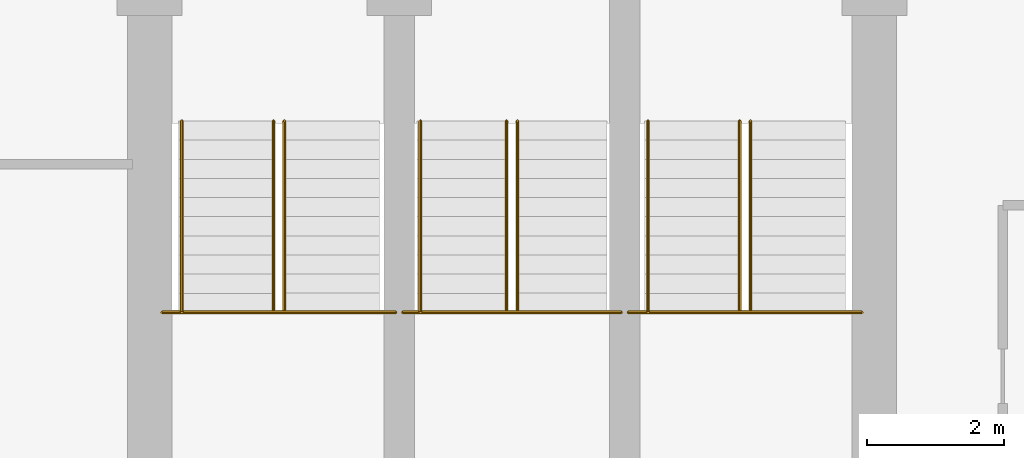
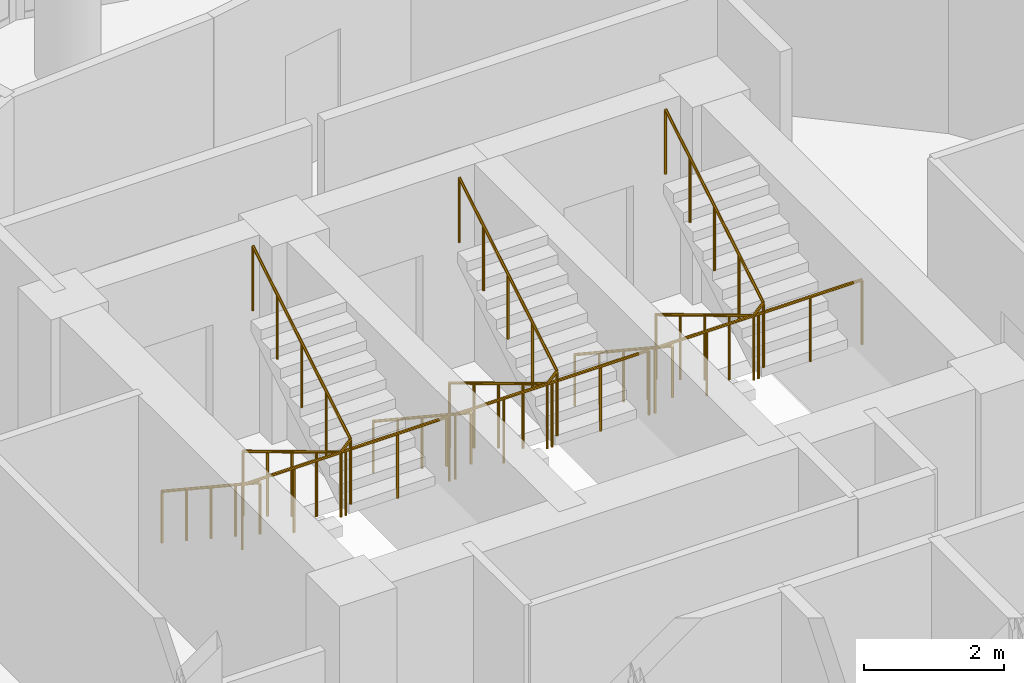
# One storey, part 26 of 26: 9 railings.
"""IFC4 building model written with IfcOpenShell, lengths in metres."""

from ifc_helpers import new_model, si_unit, direction, frame, origin, place, context, subcontext, project, spatial, polyline, outline, extrude, material, type_object, element, save


model = new_model("IFC4")

# Units and contexts
model_context = context("Model", 3, precision=1e-05, world=origin(), true_north=direction((0.0, 1.0)))
body_context = subcontext(model_context, "Body", "Model", "MODEL_VIEW")
ifc_project = project(units=[si_unit("LENGTHUNIT", "METRE"), si_unit("AREAUNIT", "SQUARE_METRE"), si_unit("VOLUMEUNIT", "CUBIC_METRE"), si_unit("PLANEANGLEUNIT", "RADIAN"), si_unit("MASSUNIT", "GRAM", prefix="KILO")], contexts=[model_context])

# Site, building, storey
site_placement = place(None, origin())
site = spatial("IfcSite", under=ifc_project, at=site_placement, CompositionType="ELEMENT")
building_placement = place(site_placement, origin())
building = spatial("IfcBuilding", under=site, at=building_placement, Name="Nuhasar Tower", CompositionType="ELEMENT")
storey_placement = place(building_placement, frame((0.0, 0.0, 121.949951171875)))
storey = spatial("IfcBuildingStorey", under=building, at=storey_placement, Name="L28", CompositionType="ELEMENT", Elevation=121.949951171875)

# Railings
ifc_material_1 = material(Name="Steel S355", Category="steel")
railing_type_1 = type_object("IfcRailingType", Name="RLG-STAIR-GUARD-1150", PredefinedType="GUARDRAIL", material=ifc_material_1)
railing_1_placement = place(storey_placement, frame((33.8798828125, 32.485107421875, 1.85009765625)))
element("IfcRailing", 1, at=railing_1_placement, inside=storey, type_object=railing_type_1, Name="L28 Stair ST-01 Guardrail LND", PredefinedType="GUARDRAIL", context=body_context, shape_type="SweptSolid", body=[
    extrude(outline(polyline([(0.024169921875, 0.0), (0.01708984375, 0.01708984375), (0.0, 0.024169921875), (-0.01708984375, 0.01708984375), (-0.024169921875, 0.0), (-0.01708984375, -0.01708984375), (0.0, -0.024169921875), (0.01708984375, -0.01708984375), (0.024169921875, 0.0)])), frame((0.0, 0.0, 1.1259765625), z_axis=(1.0, 0.0, 0.0), x_axis=(0.0, 1.0, 0.0)), (0.0, 0.0, 1.0), 3.420166015625),
    extrude(outline(polyline([(0.02099609375, 0.0), (0.014892578125, 0.014892578125), (0.0, 0.02099609375), (-0.014892578125, 0.014892578125), (-0.02099609375, 0.0), (-0.014892578125, -0.014892578125), (0.0, -0.02099609375), (0.014892578125, -0.014892578125), (0.02099609375, 0.0)])), origin(), (0.0, 0.0, 1.0), 1.101806640625),
    extrude(outline(polyline([(0.02099609375, 0.0), (0.014892578125, 0.014892578125), (0.0, 0.02099609375), (-0.014892578125, 0.014892578125), (-0.02099609375, 0.0), (-0.014892578125, -0.014892578125), (0.0, -0.02099609375), (0.014892578125, -0.014892578125), (0.02099609375, 0.0)])), frame((0.85498046875, 0.0, 0.0)), (0.0, 0.0, 1.0), 1.101806640625),
    extrude(outline(polyline([(0.02099609375, 0.0), (0.014892578125, 0.014892578125), (0.0, 0.02099609375), (-0.014892578125, 0.014892578125), (-0.02099609375, 0.0), (-0.014892578125, -0.014892578125), (0.0, -0.02099609375), (0.014892578125, -0.014892578125), (0.02099609375, 0.0)])), frame((1.7099609375, 0.0, 0.0)), (0.0, 0.0, 1.0), 1.101806640625),
    extrude(outline(polyline([(0.02099609375, 0.0), (0.014892578125, 0.014892578125), (0.0, 0.02099609375), (-0.014892578125, 0.014892578125), (-0.02099609375, 0.0), (-0.014892578125, -0.014892578125), (0.0, -0.02099609375), (0.014892578125, -0.014892578125), (0.02099609375, 0.0)])), frame((2.565185546875, 0.0, 0.0)), (0.0, 0.0, 1.0), 1.101806640625),
    extrude(outline(polyline([(0.02099609375, 0.0), (0.014892578125, 0.014892578125), (0.0, 0.02099609375), (-0.014892578125, 0.014892578125), (-0.02099609375, 0.0), (-0.014892578125, -0.014892578125), (0.0, -0.02099609375), (0.014892578125, -0.014892578125), (0.02099609375, 0.0)])), frame((3.420166015625, 0.0, 0.0)), (0.0, 0.0, 1.0), 1.101806640625),
])
railing_2_placement = place(storey_placement, frame((35.510009765625, 35.284912109375, 0.16796875)))
element("IfcRailing", 2, at=railing_2_placement, inside=storey, type_object=railing_type_1, Name="L28 Stair ST-01 Guardrail SLT", PredefinedType="GUARDRAIL", context=body_context, shape_type="SweptSolid", body=[
    extrude(outline(polyline([(0.024169921875, 0.0), (0.01708984375, 0.01708984375), (0.0, 0.024169921875), (-0.01708984375, 0.01708984375), (-0.024169921875, 0.0), (-0.01708984375, -0.01708984375), (0.0, -0.024169921875), (0.01708984375, -0.01708984375), (0.024169921875, 0.0)])), frame((0.0, 0.0, 1.1259765625), z_axis=(0.0, -0.857189395008, 0.515001302023), x_axis=(1.0, 0.0, 0.0)), (0.0, 0.0, 1.0), 3.266357421875),
    extrude(outline(polyline([(0.024169921875, 0.0), (0.01708984375, 0.01708984375), (0.0, 0.024169921875), (-0.01708984375, 0.01708984375), (-0.024169921875, 0.0), (-0.01708984375, -0.01708984375), (0.0, -0.024169921875), (0.01708984375, -0.01708984375), (0.024169921875, 0.0)])), frame((0.0, -2.7998046875, 2.80810546875), z_axis=(0.689523729023, 0.0, 0.72426309247), x_axis=(0.0, 1.0, 0.0)), (0.0, 0.0, 1.0), 0.23193359375),
    extrude(outline(polyline([(0.024169921875, 0.0), (0.01708984375, 0.01708984375), (0.0, 0.024169921875), (-0.01708984375, 0.01708984375), (-0.024169921875, 0.0), (-0.01708984375, -0.01708984375), (0.0, -0.024169921875), (0.01708984375, -0.01708984375), (0.024169921875, 0.0)])), frame((0.159912109375, -2.7998046875, 2.97607421875), z_axis=(0.0, 0.857222391501, 0.514946377315), x_axis=(-1.0, 0.0, 0.0)), (0.0, 0.0, 1.0), 3.26611328125),
    extrude(outline(polyline([(0.02099609375, 0.0), (0.014892578125, 0.014892578125), (0.0, 0.02099609375), (-0.014892578125, 0.014892578125), (-0.02099609375, 0.0), (-0.014892578125, -0.014892578125), (0.0, -0.02099609375), (0.014892578125, -0.014892578125), (0.02099609375, 0.0)])), origin(), (0.0, 0.0, 1.0), 1.101806640625),
    extrude(outline(polyline([(0.02099609375, 0.0), (0.014892578125, 0.014892578125), (0.0, 0.02099609375), (-0.014892578125, 0.014892578125), (-0.02099609375, 0.0), (-0.014892578125, -0.014892578125), (0.0, -0.02099609375), (0.014892578125, -0.014892578125), (0.02099609375, 0.0)])), frame((0.0, -0.699951171875, 0.42041015625)), (0.0, 0.0, 1.0), 1.101806640625),
    extrude(outline(polyline([(0.02099609375, 0.0), (0.014892578125, 0.014892578125), (0.0, 0.02099609375), (-0.014892578125, 0.014892578125), (-0.02099609375, 0.0), (-0.014892578125, -0.014892578125), (0.0, -0.02099609375), (0.014892578125, -0.014892578125), (0.02099609375, 0.0)])), frame((0.0, -1.39990234375, 0.841064453125)), (0.0, 0.0, 1.0), 1.101806640625),
    extrude(outline(polyline([(0.02099609375, 0.0), (0.014892578125, 0.014892578125), (0.0, 0.02099609375), (-0.014892578125, 0.014892578125), (-0.02099609375, 0.0), (-0.014892578125, -0.014892578125), (0.0, -0.02099609375), (0.014892578125, -0.014892578125), (0.02099609375, 0.0)])), frame((0.0, -2.099853515625, 1.26171875)), (0.0, 0.0, 1.0), 1.101806640625),
    extrude(outline(polyline([(0.02099609375, 0.0), (0.014892578125, 0.014892578125), (0.0, 0.02099609375), (-0.014892578125, 0.014892578125), (-0.02099609375, 0.0), (-0.014892578125, -0.014892578125), (0.0, -0.02099609375), (0.014892578125, -0.014892578125), (0.02099609375, 0.0)])), frame((0.0, -2.7998046875, 1.68212890625)), (0.0, 0.0, 1.0), 1.101806640625),
    extrude(outline(polyline([(0.02099609375, 0.0), (0.014892578125, 0.014892578125), (0.0, 0.02099609375), (-0.014892578125, 0.014892578125), (-0.02099609375, 0.0), (-0.014892578125, -0.014892578125), (0.0, -0.02099609375), (0.014892578125, -0.014892578125), (0.02099609375, 0.0)])), frame((0.159912109375, -2.7998046875, 1.85009765625)), (0.0, 0.0, 1.0), 1.101806640625),
    extrude(outline(polyline([(0.02099609375, 0.0), (0.014892578125, 0.014892578125), (0.0, 0.02099609375), (-0.014892578125, 0.014892578125), (-0.02099609375, 0.0), (-0.014892578125, -0.014892578125), (0.0, -0.02099609375), (0.014892578125, -0.014892578125), (0.02099609375, 0.0)])), frame((0.159912109375, -2.099853515625, 2.2705078125)), (0.0, 0.0, 1.0), 1.101806640625),
    extrude(outline(polyline([(0.02099609375, 0.0), (0.014892578125, 0.014892578125), (0.0, 0.02099609375), (-0.014892578125, 0.014892578125), (-0.02099609375, 0.0), (-0.014892578125, -0.014892578125), (0.0, -0.02099609375), (0.014892578125, -0.014892578125), (0.02099609375, 0.0)])), frame((0.159912109375, -1.39990234375, 2.69091796875)), (0.0, 0.0, 1.0), 1.101806640625),
    extrude(outline(polyline([(0.02099609375, 0.0), (0.014892578125, 0.014892578125), (0.0, 0.02099609375), (-0.014892578125, 0.014892578125), (-0.02099609375, 0.0), (-0.014892578125, -0.014892578125), (0.0, -0.02099609375), (0.014892578125, -0.014892578125), (0.02099609375, 0.0)])), frame((0.159912109375, -0.699951171875, 3.111572265625)), (0.0, 0.0, 1.0), 1.101806640625),
    extrude(outline(polyline([(0.02099609375, 0.0), (0.014892578125, 0.014892578125), (0.0, 0.02099609375), (-0.014892578125, 0.014892578125), (-0.02099609375, 0.0), (-0.014892578125, -0.014892578125), (0.0, -0.02099609375), (0.014892578125, -0.014892578125), (0.02099609375, 0.0)])), frame((0.159912109375, 0.0, 3.531982421875)), (0.0, 0.0, 1.0), 1.101806640625),
])
railing_3_placement = place(storey_placement, frame((37.39990234375, 32.485107421875, 1.85009765625)))
element("IfcRailing", 3, at=railing_3_placement, inside=storey, type_object=railing_type_1, Name="L28 Stair ST-03 Guardrail LND", PredefinedType="GUARDRAIL", context=body_context, shape_type="SweptSolid", body=[
    extrude(outline(polyline([(0.024169921875, 0.0), (0.01708984375, 0.01708984375), (0.0, 0.024169921875), (-0.01708984375, 0.01708984375), (-0.024169921875, 0.0), (-0.01708984375, -0.01708984375), (0.0, -0.024169921875), (0.01708984375, -0.01708984375), (0.024169921875, 0.0)])), frame((0.0, 0.0, 1.1259765625), z_axis=(1.0, 0.0, 0.0), x_axis=(0.0, 1.0, 0.0)), (0.0, 0.0, 1.0), 3.2001953125),
    extrude(outline(polyline([(0.02099609375, 0.0), (0.014892578125, 0.014892578125), (0.0, 0.02099609375), (-0.014892578125, 0.014892578125), (-0.02099609375, 0.0), (-0.014892578125, -0.014892578125), (0.0, -0.02099609375), (0.014892578125, -0.014892578125), (0.02099609375, 0.0)])), origin(), (0.0, 0.0, 1.0), 1.101806640625),
    extrude(outline(polyline([(0.02099609375, 0.0), (0.014892578125, 0.014892578125), (0.0, 0.02099609375), (-0.014892578125, 0.014892578125), (-0.02099609375, 0.0), (-0.014892578125, -0.014892578125), (0.0, -0.02099609375), (0.014892578125, -0.014892578125), (0.02099609375, 0.0)])), frame((0.800048828125, 0.0, 0.0)), (0.0, 0.0, 1.0), 1.101806640625),
    extrude(outline(polyline([(0.02099609375, 0.0), (0.014892578125, 0.014892578125), (0.0, 0.02099609375), (-0.014892578125, 0.014892578125), (-0.02099609375, 0.0), (-0.014892578125, -0.014892578125), (0.0, -0.02099609375), (0.014892578125, -0.014892578125), (0.02099609375, 0.0)])), frame((1.60009765625, 0.0, 0.0)), (0.0, 0.0, 1.0), 1.101806640625),
    extrude(outline(polyline([(0.02099609375, 0.0), (0.014892578125, 0.014892578125), (0.0, 0.02099609375), (-0.014892578125, 0.014892578125), (-0.02099609375, 0.0), (-0.014892578125, -0.014892578125), (0.0, -0.02099609375), (0.014892578125, -0.014892578125), (0.02099609375, 0.0)])), frame((2.400146484375, 0.0, 0.0)), (0.0, 0.0, 1.0), 1.101806640625),
    extrude(outline(polyline([(0.02099609375, 0.0), (0.014892578125, 0.014892578125), (0.0, 0.02099609375), (-0.014892578125, 0.014892578125), (-0.02099609375, 0.0), (-0.014892578125, -0.014892578125), (0.0, -0.02099609375), (0.014892578125, -0.014892578125), (0.02099609375, 0.0)])), frame((3.2001953125, 0.0, 0.0)), (0.0, 0.0, 1.0), 1.101806640625),
])
railing_4_placement = place(storey_placement, frame((38.919921875, 35.284912109375, 0.16796875)))
element("IfcRailing", 4, at=railing_4_placement, inside=storey, type_object=railing_type_1, Name="L28 Stair ST-03 Guardrail SLT", PredefinedType="GUARDRAIL", context=body_context, shape_type="SweptSolid", body=[
    extrude(outline(polyline([(0.024169921875, 0.0), (0.01708984375, 0.01708984375), (0.0, 0.024169921875), (-0.01708984375, 0.01708984375), (-0.024169921875, 0.0), (-0.01708984375, -0.01708984375), (0.0, -0.024169921875), (0.01708984375, -0.01708984375), (0.024169921875, 0.0)])), frame((0.0, 0.0, 1.1259765625), z_axis=(0.0, -0.857189395008, 0.515001302023), x_axis=(1.0, 0.0, 0.0)), (0.0, 0.0, 1.0), 3.266357421875),
    extrude(outline(polyline([(0.024169921875, 0.0), (0.01708984375, 0.01708984375), (0.0, 0.024169921875), (-0.01708984375, 0.01708984375), (-0.024169921875, 0.0), (-0.01708984375, -0.01708984375), (0.0, -0.024169921875), (0.01708984375, -0.01708984375), (0.024169921875, 0.0)])), frame((0.0, -2.7998046875, 2.80810546875), z_axis=(0.690075333573, 0.0, 0.723737544967), x_axis=(0.0, 1.0, 0.0)), (0.0, 0.0, 1.0), 0.232177734375),
    extrude(outline(polyline([(0.024169921875, 0.0), (0.01708984375, 0.01708984375), (0.0, 0.024169921875), (-0.01708984375, 0.01708984375), (-0.024169921875, 0.0), (-0.01708984375, -0.01708984375), (0.0, -0.024169921875), (0.01708984375, -0.01708984375), (0.024169921875, 0.0)])), frame((0.16015625, -2.7998046875, 2.97607421875), z_axis=(0.0, 0.857222391501, 0.514946377315), x_axis=(-1.0, 0.0, 0.0)), (0.0, 0.0, 1.0), 3.26611328125),
    extrude(outline(polyline([(0.02099609375, 0.0), (0.014892578125, 0.014892578125), (0.0, 0.02099609375), (-0.014892578125, 0.014892578125), (-0.02099609375, 0.0), (-0.014892578125, -0.014892578125), (0.0, -0.02099609375), (0.014892578125, -0.014892578125), (0.02099609375, 0.0)])), origin(), (0.0, 0.0, 1.0), 1.101806640625),
    extrude(outline(polyline([(0.02099609375, 0.0), (0.014892578125, 0.014892578125), (0.0, 0.02099609375), (-0.014892578125, 0.014892578125), (-0.02099609375, 0.0), (-0.014892578125, -0.014892578125), (0.0, -0.02099609375), (0.014892578125, -0.014892578125), (0.02099609375, 0.0)])), frame((0.0, -0.699951171875, 0.42041015625)), (0.0, 0.0, 1.0), 1.101806640625),
    extrude(outline(polyline([(0.02099609375, 0.0), (0.014892578125, 0.014892578125), (0.0, 0.02099609375), (-0.014892578125, 0.014892578125), (-0.02099609375, 0.0), (-0.014892578125, -0.014892578125), (0.0, -0.02099609375), (0.014892578125, -0.014892578125), (0.02099609375, 0.0)])), frame((0.0, -1.39990234375, 0.841064453125)), (0.0, 0.0, 1.0), 1.101806640625),
    extrude(outline(polyline([(0.02099609375, 0.0), (0.014892578125, 0.014892578125), (0.0, 0.02099609375), (-0.014892578125, 0.014892578125), (-0.02099609375, 0.0), (-0.014892578125, -0.014892578125), (0.0, -0.02099609375), (0.014892578125, -0.014892578125), (0.02099609375, 0.0)])), frame((0.0, -2.099853515625, 1.26171875)), (0.0, 0.0, 1.0), 1.101806640625),
    extrude(outline(polyline([(0.02099609375, 0.0), (0.014892578125, 0.014892578125), (0.0, 0.02099609375), (-0.014892578125, 0.014892578125), (-0.02099609375, 0.0), (-0.014892578125, -0.014892578125), (0.0, -0.02099609375), (0.014892578125, -0.014892578125), (0.02099609375, 0.0)])), frame((0.0, -2.7998046875, 1.68212890625)), (0.0, 0.0, 1.0), 1.101806640625),
    extrude(outline(polyline([(0.02099609375, 0.0), (0.014892578125, 0.014892578125), (0.0, 0.02099609375), (-0.014892578125, 0.014892578125), (-0.02099609375, 0.0), (-0.014892578125, -0.014892578125), (0.0, -0.02099609375), (0.014892578125, -0.014892578125), (0.02099609375, 0.0)])), frame((0.16015625, -2.7998046875, 1.85009765625)), (0.0, 0.0, 1.0), 1.101806640625),
    extrude(outline(polyline([(0.02099609375, 0.0), (0.014892578125, 0.014892578125), (0.0, 0.02099609375), (-0.014892578125, 0.014892578125), (-0.02099609375, 0.0), (-0.014892578125, -0.014892578125), (0.0, -0.02099609375), (0.014892578125, -0.014892578125), (0.02099609375, 0.0)])), frame((0.16015625, -2.099853515625, 2.2705078125)), (0.0, 0.0, 1.0), 1.101806640625),
    extrude(outline(polyline([(0.02099609375, 0.0), (0.014892578125, 0.014892578125), (0.0, 0.02099609375), (-0.014892578125, 0.014892578125), (-0.02099609375, 0.0), (-0.014892578125, -0.014892578125), (0.0, -0.02099609375), (0.014892578125, -0.014892578125), (0.02099609375, 0.0)])), frame((0.16015625, -1.39990234375, 2.69091796875)), (0.0, 0.0, 1.0), 1.101806640625),
    extrude(outline(polyline([(0.02099609375, 0.0), (0.014892578125, 0.014892578125), (0.0, 0.02099609375), (-0.014892578125, 0.014892578125), (-0.02099609375, 0.0), (-0.014892578125, -0.014892578125), (0.0, -0.02099609375), (0.014892578125, -0.014892578125), (0.02099609375, 0.0)])), frame((0.16015625, -0.699951171875, 3.111572265625)), (0.0, 0.0, 1.0), 1.101806640625),
    extrude(outline(polyline([(0.02099609375, 0.0), (0.014892578125, 0.014892578125), (0.0, 0.02099609375), (-0.014892578125, 0.014892578125), (-0.02099609375, 0.0), (-0.014892578125, -0.014892578125), (0.0, -0.02099609375), (0.014892578125, -0.014892578125), (0.02099609375, 0.0)])), frame((0.16015625, 0.0, 3.531982421875)), (0.0, 0.0, 1.0), 1.101806640625),
])
railing_5_placement = place(storey_placement, frame((40.699951171875, 32.485107421875, 1.85009765625)))
element("IfcRailing", 5, at=railing_5_placement, inside=storey, type_object=railing_type_1, Name="L28 Stair ST-02 Guardrail LND", PredefinedType="GUARDRAIL", context=body_context, shape_type="SweptSolid", body=[
    extrude(outline(polyline([(0.024169921875, 0.0), (0.01708984375, 0.01708984375), (0.0, 0.024169921875), (-0.01708984375, 0.01708984375), (-0.024169921875, 0.0), (-0.01708984375, -0.01708984375), (0.0, -0.024169921875), (0.01708984375, -0.01708984375), (0.024169921875, 0.0)])), frame((0.0, 0.0, 1.1259765625), z_axis=(1.0, 0.0, 0.0), x_axis=(0.0, 1.0, 0.0)), (0.0, 0.0, 1.0), 3.420166015625),
    extrude(outline(polyline([(0.02099609375, 0.0), (0.014892578125, 0.014892578125), (0.0, 0.02099609375), (-0.014892578125, 0.014892578125), (-0.02099609375, 0.0), (-0.014892578125, -0.014892578125), (0.0, -0.02099609375), (0.014892578125, -0.014892578125), (0.02099609375, 0.0)])), origin(), (0.0, 0.0, 1.0), 1.101806640625),
    extrude(outline(polyline([(0.02099609375, 0.0), (0.014892578125, 0.014892578125), (0.0, 0.02099609375), (-0.014892578125, 0.014892578125), (-0.02099609375, 0.0), (-0.014892578125, -0.014892578125), (0.0, -0.02099609375), (0.014892578125, -0.014892578125), (0.02099609375, 0.0)])), frame((0.85498046875, 0.0, 0.0)), (0.0, 0.0, 1.0), 1.101806640625),
    extrude(outline(polyline([(0.02099609375, 0.0), (0.014892578125, 0.014892578125), (0.0, 0.02099609375), (-0.014892578125, 0.014892578125), (-0.02099609375, 0.0), (-0.014892578125, -0.014892578125), (0.0, -0.02099609375), (0.014892578125, -0.014892578125), (0.02099609375, 0.0)])), frame((1.7099609375, 0.0, 0.0)), (0.0, 0.0, 1.0), 1.101806640625),
    extrude(outline(polyline([(0.02099609375, 0.0), (0.014892578125, 0.014892578125), (0.0, 0.02099609375), (-0.014892578125, 0.014892578125), (-0.02099609375, 0.0), (-0.014892578125, -0.014892578125), (0.0, -0.02099609375), (0.014892578125, -0.014892578125), (0.02099609375, 0.0)])), frame((2.565185546875, 0.0, 0.0)), (0.0, 0.0, 1.0), 1.101806640625),
    extrude(outline(polyline([(0.02099609375, 0.0), (0.014892578125, 0.014892578125), (0.0, 0.02099609375), (-0.014892578125, 0.014892578125), (-0.02099609375, 0.0), (-0.014892578125, -0.014892578125), (0.0, -0.02099609375), (0.014892578125, -0.014892578125), (0.02099609375, 0.0)])), frame((3.420166015625, 0.0, 0.0)), (0.0, 0.0, 1.0), 1.101806640625),
])
railing_6_placement = place(storey_placement, frame((42.330078125, 35.284912109375, 0.16796875)))
element("IfcRailing", 6, at=railing_6_placement, inside=storey, type_object=railing_type_1, Name="L28 Stair ST-02 Guardrail SLT", PredefinedType="GUARDRAIL", context=body_context, shape_type="SweptSolid", body=[
    extrude(outline(polyline([(0.024169921875, 0.0), (0.01708984375, 0.01708984375), (0.0, 0.024169921875), (-0.01708984375, 0.01708984375), (-0.024169921875, 0.0), (-0.01708984375, -0.01708984375), (0.0, -0.024169921875), (0.01708984375, -0.01708984375), (0.024169921875, 0.0)])), frame((0.0, 0.0, 1.1259765625), z_axis=(0.0, -0.857189395008, 0.515001302023), x_axis=(1.0, 0.0, 0.0)), (0.0, 0.0, 1.0), 3.266357421875),
    extrude(outline(polyline([(0.024169921875, 0.0), (0.01708984375, 0.01708984375), (0.0, 0.024169921875), (-0.01708984375, 0.01708984375), (-0.024169921875, 0.0), (-0.01708984375, -0.01708984375), (0.0, -0.024169921875), (0.01708984375, -0.01708984375), (0.024169921875, 0.0)])), frame((0.0, -2.7998046875, 2.80810546875), z_axis=(0.689523729023, 0.0, 0.72426309247), x_axis=(0.0, 1.0, 0.0)), (0.0, 0.0, 1.0), 0.23193359375),
    extrude(outline(polyline([(0.024169921875, 0.0), (0.01708984375, 0.01708984375), (0.0, 0.024169921875), (-0.01708984375, 0.01708984375), (-0.024169921875, 0.0), (-0.01708984375, -0.01708984375), (0.0, -0.024169921875), (0.01708984375, -0.01708984375), (0.024169921875, 0.0)])), frame((0.159912109375, -2.7998046875, 2.97607421875), z_axis=(0.0, 0.857222391501, 0.514946377315), x_axis=(-1.0, 0.0, 0.0)), (0.0, 0.0, 1.0), 3.26611328125),
    extrude(outline(polyline([(0.02099609375, 0.0), (0.014892578125, 0.014892578125), (0.0, 0.02099609375), (-0.014892578125, 0.014892578125), (-0.02099609375, 0.0), (-0.014892578125, -0.014892578125), (0.0, -0.02099609375), (0.014892578125, -0.014892578125), (0.02099609375, 0.0)])), origin(), (0.0, 0.0, 1.0), 1.101806640625),
    extrude(outline(polyline([(0.02099609375, 0.0), (0.014892578125, 0.014892578125), (0.0, 0.02099609375), (-0.014892578125, 0.014892578125), (-0.02099609375, 0.0), (-0.014892578125, -0.014892578125), (0.0, -0.02099609375), (0.014892578125, -0.014892578125), (0.02099609375, 0.0)])), frame((0.0, -0.699951171875, 0.42041015625)), (0.0, 0.0, 1.0), 1.101806640625),
    extrude(outline(polyline([(0.02099609375, 0.0), (0.014892578125, 0.014892578125), (0.0, 0.02099609375), (-0.014892578125, 0.014892578125), (-0.02099609375, 0.0), (-0.014892578125, -0.014892578125), (0.0, -0.02099609375), (0.014892578125, -0.014892578125), (0.02099609375, 0.0)])), frame((0.0, -1.39990234375, 0.841064453125)), (0.0, 0.0, 1.0), 1.101806640625),
    extrude(outline(polyline([(0.02099609375, 0.0), (0.014892578125, 0.014892578125), (0.0, 0.02099609375), (-0.014892578125, 0.014892578125), (-0.02099609375, 0.0), (-0.014892578125, -0.014892578125), (0.0, -0.02099609375), (0.014892578125, -0.014892578125), (0.02099609375, 0.0)])), frame((0.0, -2.099853515625, 1.26171875)), (0.0, 0.0, 1.0), 1.101806640625),
    extrude(outline(polyline([(0.02099609375, 0.0), (0.014892578125, 0.014892578125), (0.0, 0.02099609375), (-0.014892578125, 0.014892578125), (-0.02099609375, 0.0), (-0.014892578125, -0.014892578125), (0.0, -0.02099609375), (0.014892578125, -0.014892578125), (0.02099609375, 0.0)])), frame((0.0, -2.7998046875, 1.68212890625)), (0.0, 0.0, 1.0), 1.101806640625),
    extrude(outline(polyline([(0.02099609375, 0.0), (0.014892578125, 0.014892578125), (0.0, 0.02099609375), (-0.014892578125, 0.014892578125), (-0.02099609375, 0.0), (-0.014892578125, -0.014892578125), (0.0, -0.02099609375), (0.014892578125, -0.014892578125), (0.02099609375, 0.0)])), frame((0.159912109375, -2.7998046875, 1.85009765625)), (0.0, 0.0, 1.0), 1.101806640625),
    extrude(outline(polyline([(0.02099609375, 0.0), (0.014892578125, 0.014892578125), (0.0, 0.02099609375), (-0.014892578125, 0.014892578125), (-0.02099609375, 0.0), (-0.014892578125, -0.014892578125), (0.0, -0.02099609375), (0.014892578125, -0.014892578125), (0.02099609375, 0.0)])), frame((0.159912109375, -2.099853515625, 2.2705078125)), (0.0, 0.0, 1.0), 1.101806640625),
    extrude(outline(polyline([(0.02099609375, 0.0), (0.014892578125, 0.014892578125), (0.0, 0.02099609375), (-0.014892578125, 0.014892578125), (-0.02099609375, 0.0), (-0.014892578125, -0.014892578125), (0.0, -0.02099609375), (0.014892578125, -0.014892578125), (0.02099609375, 0.0)])), frame((0.159912109375, -1.39990234375, 2.69091796875)), (0.0, 0.0, 1.0), 1.101806640625),
    extrude(outline(polyline([(0.02099609375, 0.0), (0.014892578125, 0.014892578125), (0.0, 0.02099609375), (-0.014892578125, 0.014892578125), (-0.02099609375, 0.0), (-0.014892578125, -0.014892578125), (0.0, -0.02099609375), (0.014892578125, -0.014892578125), (0.02099609375, 0.0)])), frame((0.159912109375, -0.699951171875, 3.111572265625)), (0.0, 0.0, 1.0), 1.101806640625),
    extrude(outline(polyline([(0.02099609375, 0.0), (0.014892578125, 0.014892578125), (0.0, 0.02099609375), (-0.014892578125, 0.014892578125), (-0.02099609375, 0.0), (-0.014892578125, -0.014892578125), (0.0, -0.02099609375), (0.014892578125, -0.014892578125), (0.02099609375, 0.0)])), frame((0.159912109375, 0.0, 3.531982421875)), (0.0, 0.0, 1.0), 1.101806640625),
])
ifc_material_2 = material(Name="Stainless Steel 316L", Category="steel")
railing_type_2 = type_object("IfcRailingType", Name="RLG-STAIR-HAND-920", PredefinedType="HANDRAIL", material=ifc_material_2)
railing_7_placement = place(storey_placement, frame((34.169921875, 35.284912109375, 0.16796875)))
element("IfcRailing", 7, at=railing_7_placement, inside=storey, type_object=railing_type_2, Name="L28 Stair ST-01 Handrail HND1", PredefinedType="HANDRAIL", context=body_context, shape_type="SweptSolid", body=[
    extrude(outline(polyline([(0.024169921875, 0.0), (0.01708984375, 0.01708984375), (0.0, 0.024169921875), (-0.01708984375, 0.01708984375), (-0.024169921875, 0.0), (-0.01708984375, -0.01708984375), (0.0, -0.024169921875), (0.01708984375, -0.01708984375), (0.024169921875, 0.0)])), frame((0.0, 0.0, 0.89599609375), z_axis=(0.0, -0.834304248922, 0.551304290053), x_axis=(1.0, 0.0, 0.0)), (0.0, 0.0, 1.0), 3.35595703125),
    extrude(outline(polyline([(0.02099609375, 0.0), (0.014892578125, 0.014892578125), (0.0, 0.02099609375), (-0.014892578125, 0.014892578125), (-0.02099609375, 0.0), (-0.014892578125, -0.014892578125), (0.0, -0.02099609375), (0.014892578125, -0.014892578125), (0.02099609375, 0.0)])), origin(), (0.0, 0.0, 1.0), 0.871826171875),
    extrude(outline(polyline([(0.02099609375, 0.0), (0.014892578125, 0.014892578125), (0.0, 0.02099609375), (-0.014892578125, 0.014892578125), (-0.02099609375, 0.0), (-0.014892578125, -0.014892578125), (0.0, -0.02099609375), (0.014892578125, -0.014892578125), (0.02099609375, 0.0)])), frame((0.0, -0.699951171875, 0.46240234375)), (0.0, 0.0, 1.0), 0.871826171875),
    extrude(outline(polyline([(0.02099609375, 0.0), (0.014892578125, 0.014892578125), (0.0, 0.02099609375), (-0.014892578125, 0.014892578125), (-0.02099609375, 0.0), (-0.014892578125, -0.014892578125), (0.0, -0.02099609375), (0.014892578125, -0.014892578125), (0.02099609375, 0.0)])), frame((0.0, -1.39990234375, 0.925048828125)), (0.0, 0.0, 1.0), 0.871826171875),
    extrude(outline(polyline([(0.02099609375, 0.0), (0.014892578125, 0.014892578125), (0.0, 0.02099609375), (-0.014892578125, 0.014892578125), (-0.02099609375, 0.0), (-0.014892578125, -0.014892578125), (0.0, -0.02099609375), (0.014892578125, -0.014892578125), (0.02099609375, 0.0)])), frame((0.0, -2.099853515625, 1.3876953125)), (0.0, 0.0, 1.0), 0.871826171875),
    extrude(outline(polyline([(0.02099609375, 0.0), (0.014892578125, 0.014892578125), (0.0, 0.02099609375), (-0.014892578125, 0.014892578125), (-0.02099609375, 0.0), (-0.014892578125, -0.014892578125), (0.0, -0.02099609375), (0.014892578125, -0.014892578125), (0.02099609375, 0.0)])), frame((0.0, -2.7998046875, 1.85009765625)), (0.0, 0.0, 1.0), 0.871826171875),
])
railing_8_placement = place(storey_placement, frame((37.659912109375, 35.284912109375, 0.16796875)))
element("IfcRailing", 8, at=railing_8_placement, inside=storey, type_object=railing_type_2, Name="L28 Stair ST-03 Handrail HND1", PredefinedType="HANDRAIL", context=body_context, shape_type="SweptSolid", body=[
    extrude(outline(polyline([(0.024169921875, 0.0), (0.01708984375, 0.01708984375), (0.0, 0.024169921875), (-0.01708984375, 0.01708984375), (-0.024169921875, 0.0), (-0.01708984375, -0.01708984375), (0.0, -0.024169921875), (0.01708984375, -0.01708984375), (0.024169921875, 0.0)])), frame((0.0, 0.0, 0.89599609375), z_axis=(0.0, -0.834304248922, 0.551304290053), x_axis=(1.0, 0.0, 0.0)), (0.0, 0.0, 1.0), 3.35595703125),
    extrude(outline(polyline([(0.02099609375, 0.0), (0.014892578125, 0.014892578125), (0.0, 0.02099609375), (-0.014892578125, 0.014892578125), (-0.02099609375, 0.0), (-0.014892578125, -0.014892578125), (0.0, -0.02099609375), (0.014892578125, -0.014892578125), (0.02099609375, 0.0)])), origin(), (0.0, 0.0, 1.0), 0.871826171875),
    extrude(outline(polyline([(0.02099609375, 0.0), (0.014892578125, 0.014892578125), (0.0, 0.02099609375), (-0.014892578125, 0.014892578125), (-0.02099609375, 0.0), (-0.014892578125, -0.014892578125), (0.0, -0.02099609375), (0.014892578125, -0.014892578125), (0.02099609375, 0.0)])), frame((0.0, -0.699951171875, 0.46240234375)), (0.0, 0.0, 1.0), 0.871826171875),
    extrude(outline(polyline([(0.02099609375, 0.0), (0.014892578125, 0.014892578125), (0.0, 0.02099609375), (-0.014892578125, 0.014892578125), (-0.02099609375, 0.0), (-0.014892578125, -0.014892578125), (0.0, -0.02099609375), (0.014892578125, -0.014892578125), (0.02099609375, 0.0)])), frame((0.0, -1.39990234375, 0.925048828125)), (0.0, 0.0, 1.0), 0.871826171875),
    extrude(outline(polyline([(0.02099609375, 0.0), (0.014892578125, 0.014892578125), (0.0, 0.02099609375), (-0.014892578125, 0.014892578125), (-0.02099609375, 0.0), (-0.014892578125, -0.014892578125), (0.0, -0.02099609375), (0.014892578125, -0.014892578125), (0.02099609375, 0.0)])), frame((0.0, -2.099853515625, 1.3876953125)), (0.0, 0.0, 1.0), 0.871826171875),
    extrude(outline(polyline([(0.02099609375, 0.0), (0.014892578125, 0.014892578125), (0.0, 0.02099609375), (-0.014892578125, 0.014892578125), (-0.02099609375, 0.0), (-0.014892578125, -0.014892578125), (0.0, -0.02099609375), (0.014892578125, -0.014892578125), (0.02099609375, 0.0)])), frame((0.0, -2.7998046875, 1.85009765625)), (0.0, 0.0, 1.0), 0.871826171875),
])
railing_9_placement = place(storey_placement, frame((40.989990234375, 35.284912109375, 0.16796875)))
element("IfcRailing", 9, at=railing_9_placement, inside=storey, type_object=railing_type_2, Name="L28 Stair ST-02 Handrail HND1", PredefinedType="HANDRAIL", context=body_context, shape_type="SweptSolid", body=[
    extrude(outline(polyline([(0.024169921875, 0.0), (0.01708984375, 0.01708984375), (0.0, 0.024169921875), (-0.01708984375, 0.01708984375), (-0.024169921875, 0.0), (-0.01708984375, -0.01708984375), (0.0, -0.024169921875), (0.01708984375, -0.01708984375), (0.024169921875, 0.0)])), frame((0.0, 0.0, 0.89599609375), z_axis=(0.0, -0.834304248922, 0.551304290053), x_axis=(1.0, 0.0, 0.0)), (0.0, 0.0, 1.0), 3.35595703125),
    extrude(outline(polyline([(0.02099609375, 0.0), (0.014892578125, 0.014892578125), (0.0, 0.02099609375), (-0.014892578125, 0.014892578125), (-0.02099609375, 0.0), (-0.014892578125, -0.014892578125), (0.0, -0.02099609375), (0.014892578125, -0.014892578125), (0.02099609375, 0.0)])), origin(), (0.0, 0.0, 1.0), 0.871826171875),
    extrude(outline(polyline([(0.02099609375, 0.0), (0.014892578125, 0.014892578125), (0.0, 0.02099609375), (-0.014892578125, 0.014892578125), (-0.02099609375, 0.0), (-0.014892578125, -0.014892578125), (0.0, -0.02099609375), (0.014892578125, -0.014892578125), (0.02099609375, 0.0)])), frame((0.0, -0.699951171875, 0.46240234375)), (0.0, 0.0, 1.0), 0.871826171875),
    extrude(outline(polyline([(0.02099609375, 0.0), (0.014892578125, 0.014892578125), (0.0, 0.02099609375), (-0.014892578125, 0.014892578125), (-0.02099609375, 0.0), (-0.014892578125, -0.014892578125), (0.0, -0.02099609375), (0.014892578125, -0.014892578125), (0.02099609375, 0.0)])), frame((0.0, -1.39990234375, 0.925048828125)), (0.0, 0.0, 1.0), 0.871826171875),
    extrude(outline(polyline([(0.02099609375, 0.0), (0.014892578125, 0.014892578125), (0.0, 0.02099609375), (-0.014892578125, 0.014892578125), (-0.02099609375, 0.0), (-0.014892578125, -0.014892578125), (0.0, -0.02099609375), (0.014892578125, -0.014892578125), (0.02099609375, 0.0)])), frame((0.0, -2.099853515625, 1.3876953125)), (0.0, 0.0, 1.0), 0.871826171875),
    extrude(outline(polyline([(0.02099609375, 0.0), (0.014892578125, 0.014892578125), (0.0, 0.02099609375), (-0.014892578125, 0.014892578125), (-0.02099609375, 0.0), (-0.014892578125, -0.014892578125), (0.0, -0.02099609375), (0.014892578125, -0.014892578125), (0.02099609375, 0.0)])), frame((0.0, -2.7998046875, 1.85009765625)), (0.0, 0.0, 1.0), 0.871826171875),
])

save(model, "model.ifc")
